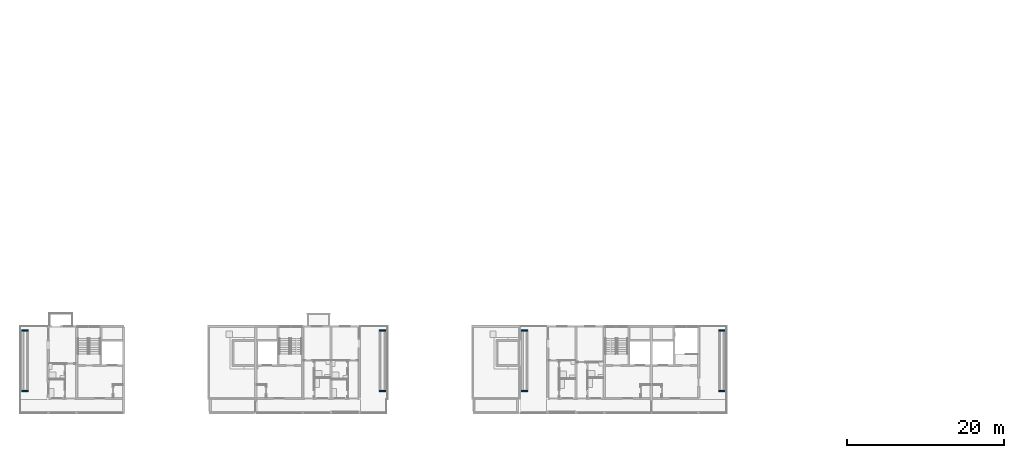
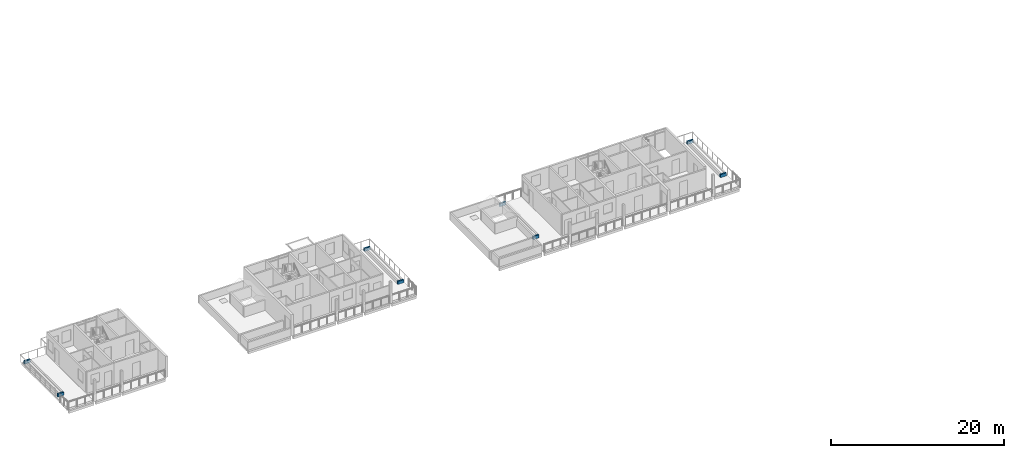
# One storey, part 27 of 41: 8 walls.
"""IFC4 building model written with IfcOpenShell, lengths in metres."""

from ifc_helpers import new_model, si_unit, direction, frame, frame_2d, origin, place, context, subcontext, project, spatial, rectangle, extrude, material, layer, layer_set, type_object, element, save


model = new_model("IFC4")

# Units and contexts
model_context = context("Model", 3, precision=1e-05, world=origin(), true_north=direction((0.0, 1.0)))
body_context = subcontext(model_context, "Body", "Model", "MODEL_VIEW")
ifc_project = project(units=[si_unit("LENGTHUNIT", "METRE"), si_unit("AREAUNIT", "SQUARE_METRE"), si_unit("VOLUMEUNIT", "CUBIC_METRE"), si_unit("PLANEANGLEUNIT", "RADIAN"), si_unit("MASSUNIT", "GRAM", prefix="KILO")], contexts=[model_context])

# Site, building, storey
site_placement = place(None, origin())
site = spatial("IfcSite", under=ifc_project, at=site_placement, CompositionType="ELEMENT")
building_placement = place(site_placement, origin())
building = spatial("IfcBuilding", under=site, at=building_placement, Name="Ridgestep Commons", CompositionType="ELEMENT")
storey_placement = place(building_placement, frame((0.0, 0.0, 39.0)))
storey = spatial("IfcBuildingStorey", under=building, at=storey_placement, Name="L13", CompositionType="ELEMENT", Elevation=39.0)

# Walls
ifc_material = material(Name="Facing brick", Category="masonry")
ifc_layer = layer(ifc_material, 0.199951171875)
ifc_layer_set = layer_set([ifc_layer], Name="Planter wall 200")
wall_type = type_object("IfcWallType", Name="Planter wall 200", PredefinedType="SOLIDWALL", material=ifc_layer_set)
for number, where, z_axis, x_axis, name in (
    (1, (15.85009765625, 14.64990234375, 0.010009765625), (0.0, 0.0, 1.0), (1.0, 0.0, 0.0), "Planter wall A1R2S"),
    (2, (15.85009765625, 22.35009765625, 0.010009765625), (0.0, 0.0, 1.0), (1.0, 0.0, 0.0), "Planter wall A1R2N"),
    (3, (61.35009765625, 14.64990234375, 0.010009765625), (0.0, 0.0, 1.0), (1.0, 0.0, 0.0), "Planter wall A3R1S"),
    (4, (61.35009765625, 22.35009765625, 0.010009765625), (0.0, 0.0, 1.0), (1.0, 0.0, 0.0), "Planter wall A3R1N"),
):
    element("IfcWall", number, at=place(storey_placement, frame(where, z_axis=z_axis, x_axis=x_axis)), inside=storey, type_object=wall_type, Name=name, PredefinedType="SOLIDWALL", context=body_context, shape_type="SweptSolid", body=[
        extrude(rectangle(XDim=0.7998046875, YDim=0.199951171875, at=frame_2d((0.39990234375, 0.0))), origin(), (0.0, 0.0, 1.0), 0.449951171875),
    ])
for number, where, z_axis, x_axis, name in (
    (5, (79.449951171875, 14.64990234375, 0.010009765625), (0.0, 0.0, 1.0), (1.0, 0.0, 0.0), "Planter wall A5R1S"),
    (6, (79.449951171875, 22.35009765625, 0.010009765625), (0.0, 0.0, 1.0), (1.0, 0.0, 0.0), "Planter wall A5R1N"),
    (7, (104.550048828125, 14.64990234375, 0.010009765625), (0.0, 0.0, 1.0), (1.0, 0.0, 0.0), "Planter wall A6R3S"),
    (8, (104.550048828125, 22.35009765625, 0.010009765625), (0.0, 0.0, 1.0), (1.0, 0.0, 0.0), "Planter wall A6R3N"),
):
    element("IfcWall", number, at=place(storey_placement, frame(where, z_axis=z_axis, x_axis=x_axis)), inside=storey, type_object=wall_type, Name=name, PredefinedType="SOLIDWALL", context=body_context, shape_type="SweptSolid", body=[
        extrude(rectangle(XDim=0.800048828125, YDim=0.199951171875, at=frame_2d((0.39990234375, 0.0))), origin(), (0.0, 0.0, 1.0), 0.449951171875),
    ])

save(model, "model.ifc")
